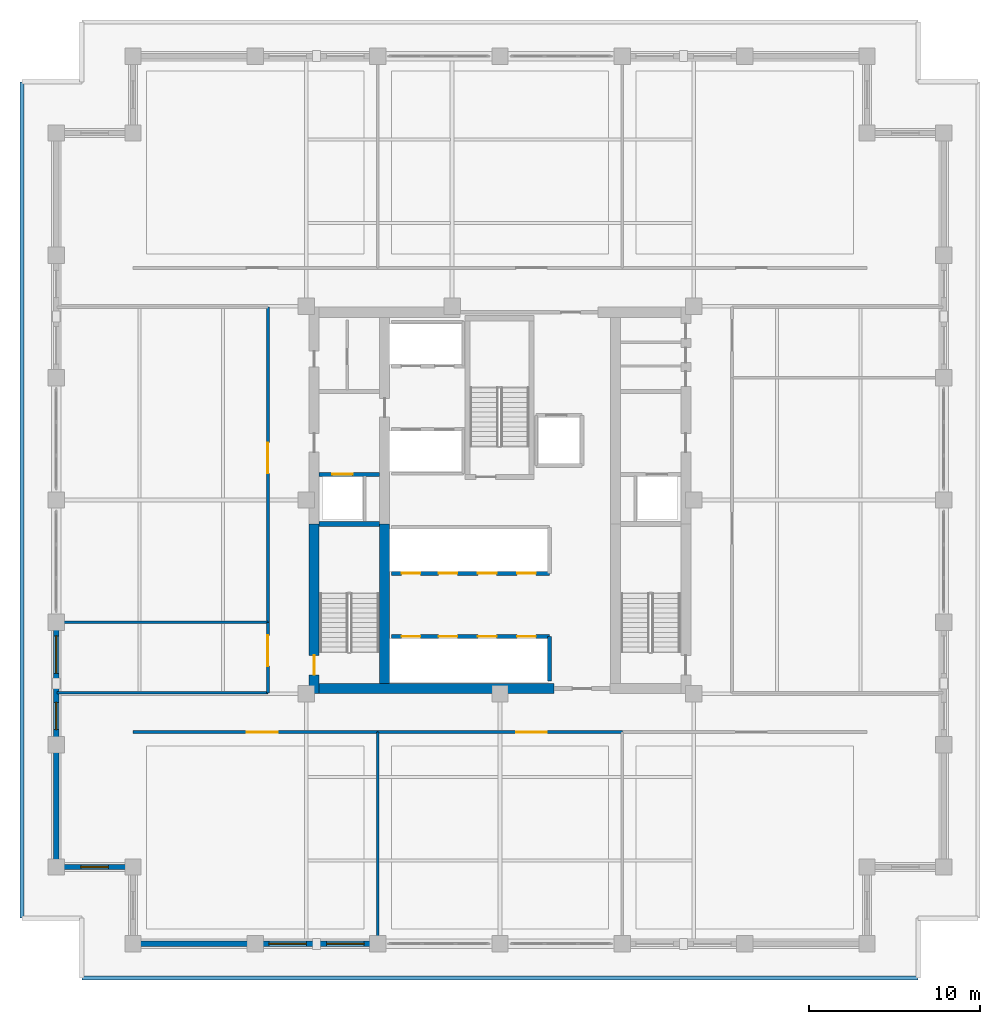
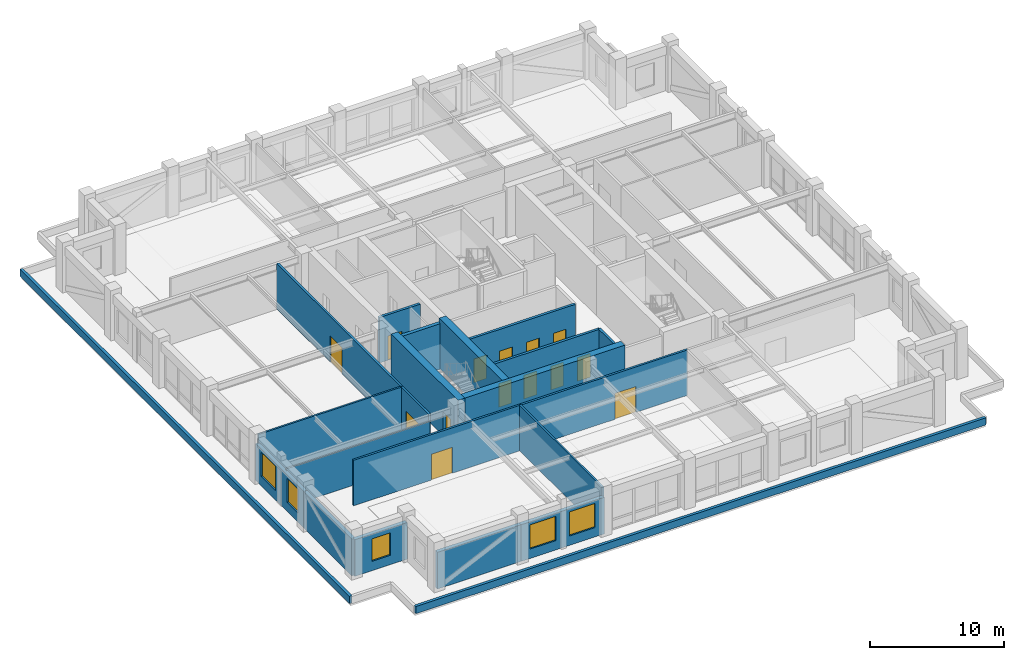
# One storey, part 8 of 16: 22 walls, 14 doors, 5 windows, 19 openings.
"""IFC4 building model written with IfcOpenShell, lengths in metres."""

from ifc_helpers import new_model, si_unit, direction, frame, frame_2d, origin, place, context, subcontext, project, spatial, rectangle, extrude, material, layer, layer_set, type_object, element, fill, save


model = new_model("IFC4")

# Units and contexts
model_context = context("Model", 3, precision=1e-05, world=origin(), true_north=direction((0.0, 1.0)))
body_context = subcontext(model_context, "Body", "Model", "MODEL_VIEW")
ifc_project = project(units=[si_unit("LENGTHUNIT", "METRE"), si_unit("AREAUNIT", "SQUARE_METRE"), si_unit("VOLUMEUNIT", "CUBIC_METRE"), si_unit("PLANEANGLEUNIT", "RADIAN"), si_unit("MASSUNIT", "GRAM", prefix="KILO")], contexts=[model_context])

# Site, building, storey
site_placement = place(None, origin())
site = spatial("IfcSite", under=ifc_project, at=site_placement, CompositionType="ELEMENT")
building_placement = place(site_placement, origin())
building = spatial("IfcBuilding", under=site, at=building_placement, Name="Nhamokura Convention Tower", CompositionType="ELEMENT")
storey_placement = place(building_placement, frame((0.0, 0.0, 106.050048828125)))
storey = spatial("IfcBuildingStorey", under=building, at=storey_placement, Name="L25", CompositionType="ELEMENT", Elevation=106.050048828125)

# Wall
ifc_material_1 = material(Name="Bronze-pigmented precast concrete C45/55", Category="concrete")
ifc_layer_1 = layer(ifc_material_1, 0.320068359375)
ifc_layer_set_1 = layer_set([ifc_layer_1], Name="BronzePrecastSpandrel_320")
wall_type_1 = type_object("IfcWallType", Name="BronzePrecastSpandrel_320", PredefinedType="USERDEFINED", material=ifc_layer_set_1)
wall_1_placement = place(storey_placement, frame((17.666748046875, 6.0, 0.0), z_axis=(0.0, 0.0, 1.0), x_axis=(-1.0, 0.0, 0.0)))
element("IfcWall", 1, at=wall_1_placement, inside=storey, type_object=wall_type_1, Name="L25 Braced-Bay Precast Wall SOUTH 0", ObjectType="SPANDREL_WALL", PredefinedType="USERDEFINED", context=body_context, shape_type="SweptSolid", body=[
    extrude(rectangle(XDim=7.166748046875, YDim=0.320068359375, at=frame_2d((3.58349609375, 0.0))), origin(), (0.0, 0.0, 1.0), 3.329833984375),
])

# Wall, openings, windows
wall_2_placement = place(storey_placement, frame((24.833251953125, 6.0, 0.0), z_axis=(0.0, 0.0, 1.0), x_axis=(-1.0, 0.0, 0.0)))
wall_2 = element("IfcWall", 2, at=wall_2_placement, inside=storey, type_object=wall_type_1, Name="L25 Masonry-Frame Wall SOUTH 1", ObjectType="SPANDREL_WALL", PredefinedType="USERDEFINED", context=body_context, shape_type="SweptSolid", body=[
    extrude(rectangle(XDim=7.16650390625, YDim=0.320068359375, at=frame_2d((3.583251953125, 0.0))), origin(), (0.0, 0.0, 1.0), 3.329833984375),
])
opening_1_placement = place(wall_2_placement, frame((0.791748046875, 0.0, 0.85009765625)))
opening_1 = element("IfcOpeningElement", 3, at=opening_1_placement, cuts=wall_2, Name="Opening W-06", PredefinedType="OPENING", context=body_context, shape_type="SweptSolid", body=[
    extrude(rectangle(XDim=2.199951171875, YDim=2.199951171875, at=frame_2d((1.10009765625, 1.10009765625))), frame((0.0, 0.169921875, 0.0), z_axis=(0.0, -1.0, 0.0), x_axis=(1.0, 0.0, 0.0)), (0.0, 0.0, 1.0), 0.340087890625),
])
opening_2_placement = place(wall_2_placement, frame((4.175048828125, 0.0, 0.85009765625)))
opening_2 = element("IfcOpeningElement", 4, at=opening_2_placement, cuts=wall_2, Name="Opening W-06", PredefinedType="OPENING", context=body_context, shape_type="SweptSolid", body=[
    extrude(rectangle(XDim=2.199951171875, YDim=2.199951171875, at=frame_2d((1.10009765625, 1.10009765625))), frame((0.0, 0.169921875, 0.0), z_axis=(0.0, -1.0, 0.0), x_axis=(1.0, 0.0, 0.0)), (0.0, 0.0, 1.0), 0.340087890625),
])
ifc_material_2 = material(Name="Solar-control bronze low-E double glass", Category="glass")
window_type_1 = type_object("IfcWindowType", Name="OfficeModuleWindow_Z2_2200", PartitioningType="SINGLE_PANEL", PredefinedType="WINDOW", material=ifc_material_2)
window_1_placement = place(opening_1_placement, origin())
window_1 = element("IfcWindow", 5, at=window_1_placement, inside=storey, type_object=window_type_1, Name="L25 Facade Window SOUTH 1-1", OverallHeight=2.199951171875, OverallWidth=2.199951171875, PartitioningType="SINGLE_PANEL", PredefinedType="WINDOW", context=body_context, shape_type="SweptSolid", body=[
    extrude(rectangle(XDim=2.199951171875, YDim=2.199951171875, at=frame_2d((1.10009765625, 1.10009765625))), frame((0.0, 0.030029296875, 0.0), z_axis=(0.0, -1.0, 0.0), x_axis=(1.0, 0.0, 0.0)), (0.0, 0.0, 1.0), 0.06005859375),
])
fill(opening_1, window_1)
window_2_placement = place(opening_2_placement, origin())
window_2 = element("IfcWindow", 6, at=window_2_placement, inside=storey, type_object=window_type_1, Name="L25 Facade Window SOUTH 1-2", OverallHeight=2.199951171875, OverallWidth=2.199951171875, PartitioningType="SINGLE_PANEL", PredefinedType="WINDOW", context=body_context, shape_type="SweptSolid", body=[
    extrude(rectangle(XDim=2.199951171875, YDim=2.199951171875, at=frame_2d((1.10009765625, 1.10009765625))), frame((0.0, 0.030029296875, 0.0), z_axis=(0.0, -1.0, 0.0), x_axis=(1.0, 0.0, 0.0)), (0.0, 0.0, 1.0), 0.06005859375),
])
fill(opening_2, window_2)

# Wall
wall_3_placement = place(storey_placement, frame((6.0, 10.5, 0.0), z_axis=(0.0, 0.0, 1.0), x_axis=(0.0, 1.0, 0.0)))
element("IfcWall", 7, at=wall_3_placement, inside=storey, type_object=wall_type_1, Name="L25 Braced-Bay Precast Wall WEST 0", ObjectType="SPANDREL_WALL", PredefinedType="USERDEFINED", context=body_context, shape_type="SweptSolid", body=[
    extrude(rectangle(XDim=7.166748046875, YDim=0.320068359375, at=frame_2d((3.58349609375, 0.0))), origin(), (0.0, 0.0, 1.0), 3.329833984375),
])

# Wall, openings, windows
wall_4_placement = place(storey_placement, frame((6.0, 17.666748046875, 0.0), z_axis=(0.0, 0.0, 1.0), x_axis=(0.0, 1.0, 0.0)))
wall_4 = element("IfcWall", 8, at=wall_4_placement, inside=storey, type_object=wall_type_1, Name="L25 Masonry-Frame Wall WEST 1", ObjectType="SPANDREL_WALL", PredefinedType="USERDEFINED", context=body_context, shape_type="SweptSolid", body=[
    extrude(rectangle(XDim=7.16650390625, YDim=0.320068359375, at=frame_2d((3.583251953125, 0.0))), origin(), (0.0, 0.0, 1.0), 3.329833984375),
])
opening_3_placement = place(wall_4_placement, frame((0.879150390625, 0.0, 0.85009765625)))
opening_3 = element("IfcOpeningElement", 9, at=opening_3_placement, cuts=wall_4, Name="Opening W-11", PredefinedType="OPENING", context=body_context, shape_type="SweptSolid", body=[
    extrude(rectangle(XDim=1.60009765625, YDim=2.14990234375, at=frame_2d((0.800048828125, 1.074951171875))), frame((0.0, 0.169921875, 0.0), z_axis=(0.0, -1.0, 0.0), x_axis=(1.0, 0.0, 0.0)), (0.0, 0.0, 1.0), 0.340087890625),
])
opening_4_placement = place(wall_4_placement, frame((4.175048828125, 0.0, 0.85009765625)))
opening_4 = element("IfcOpeningElement", 10, at=opening_4_placement, cuts=wall_4, Name="Opening W-06", PredefinedType="OPENING", context=body_context, shape_type="SweptSolid", body=[
    extrude(rectangle(XDim=2.199951171875, YDim=2.199951171875, at=frame_2d((1.10009765625, 1.10009765625))), frame((0.0, 0.169921875, 0.0), z_axis=(0.0, -1.0, 0.0), x_axis=(1.0, 0.0, 0.0)), (0.0, 0.0, 1.0), 0.340087890625),
])
ifc_material_3 = material(Name="Solar-control bronze low-E double glass", Category="glass")
window_type_2 = type_object("IfcWindowType", Name="NotchCornerWindow_1600", PartitioningType="SINGLE_PANEL", PredefinedType="WINDOW", material=ifc_material_3)
window_3_placement = place(opening_3_placement, origin())
window_3 = element("IfcWindow", 11, at=window_3_placement, inside=storey, type_object=window_type_2, Name="L25 Facade Window WEST 1-1", OverallHeight=2.14990234375, OverallWidth=1.60009765625, PartitioningType="SINGLE_PANEL", PredefinedType="WINDOW", context=body_context, shape_type="SweptSolid", body=[
    extrude(rectangle(XDim=1.60009765625, YDim=2.14990234375, at=frame_2d((0.800048828125, 1.074951171875))), frame((0.0, 0.030029296875, 0.0), z_axis=(0.0, -1.0, 0.0), x_axis=(1.0, 0.0, 0.0)), (0.0, 0.0, 1.0), 0.06005859375),
])
fill(opening_3, window_3)
window_4_placement = place(opening_4_placement, origin())
window_4 = element("IfcWindow", 12, at=window_4_placement, inside=storey, type_object=window_type_1, Name="L25 Facade Window WEST 1-2", OverallHeight=2.199951171875, OverallWidth=2.199951171875, PartitioningType="SINGLE_PANEL", PredefinedType="WINDOW", context=body_context, shape_type="SweptSolid", body=[
    extrude(rectangle(XDim=2.199951171875, YDim=2.199951171875, at=frame_2d((1.10009765625, 1.10009765625))), frame((0.0, 0.030029296875, 0.0), z_axis=(0.0, -1.0, 0.0), x_axis=(1.0, 0.0, 0.0)), (0.0, 0.0, 1.0), 0.06005859375),
])
fill(opening_4, window_4)

# Wall, opening, window
wall_5_placement = place(storey_placement, frame((10.5, 10.5, 0.0), z_axis=(0.0, 0.0, 1.0), x_axis=(-1.0, 0.0, 0.0)))
wall_5 = element("IfcWall", 13, at=wall_5_placement, inside=storey, type_object=wall_type_1, Name="L25 Notched Corner Wall SW2", ObjectType="SPANDREL_WALL", PredefinedType="USERDEFINED", context=body_context, shape_type="SweptSolid", body=[
    extrude(rectangle(XDim=4.5, YDim=0.320068359375, at=frame_2d((2.25, 0.0))), origin(), (0.0, 0.0, 1.0), 3.329833984375),
])
opening_5_placement = place(wall_5_placement, frame((1.449951171875, 0.0, 0.85009765625)))
opening_5 = element("IfcOpeningElement", 14, at=opening_5_placement, cuts=wall_5, Name="Opening W-11", PredefinedType="OPENING", context=body_context, shape_type="SweptSolid", body=[
    extrude(rectangle(XDim=1.60009765625, YDim=2.050048828125, at=frame_2d((0.800048828125, 1.02490234375))), frame((0.0, 0.169921875, 0.0), z_axis=(0.0, -1.0, 0.0), x_axis=(1.0, 0.0, 0.0)), (0.0, 0.0, 1.0), 0.340087890625),
])
window_5_placement = place(opening_5_placement, origin())
window_5 = element("IfcWindow", 15, at=window_5_placement, inside=storey, type_object=window_type_2, Name="L25 Notched Corner Window SW2", OverallHeight=2.050048828125, OverallWidth=1.60009765625, PartitioningType="SINGLE_PANEL", PredefinedType="WINDOW", context=body_context, shape_type="SweptSolid", body=[
    extrude(rectangle(XDim=1.60009765625, YDim=2.050048828125, at=frame_2d((0.800048828125, 1.02490234375))), frame((0.0, 0.030029296875, 0.0), z_axis=(0.0, -1.0, 0.0), x_axis=(1.0, 0.0, 0.0)), (0.0, 0.0, 1.0), 0.06005859375),
])
fill(opening_5, window_5)

# Wall, opening, door
ifc_material_4 = material(Name="Concrete C60/75", Category="concrete")
ifc_layer_2 = layer(ifc_material_4, 0.60009765625)
ifc_layer_set_2 = layer_set([ifc_layer_2], Name="CoreShearWall_600")
wall_type_2 = type_object("IfcWallType", Name="CoreShearWall_600", PredefinedType="SHEAR", material=ifc_layer_set_2)
wall_6_placement = place(storey_placement, frame((21.110107421875, 20.64990234375, 0.0), z_axis=(0.0, 0.0, 1.0), x_axis=(0.0, 1.0, 0.0)))
wall_6 = element("IfcWall", 16, at=wall_6_placement, inside=storey, type_object=wall_type_2, Name="L25 Core Shear Wall CW-WS", PredefinedType="SHEAR", context=body_context, shape_type="SweptSolid", body=[
    extrude(rectangle(XDim=9.9501953125, YDim=0.60009765625, at=frame_2d((4.97509765625, 0.0))), origin(), (0.0, 0.0, 1.0), 4.550048828125),
])
opening_6_placement = place(wall_6_placement, frame((1.10009765625, 0.0, 0.0)))
opening_6 = element("IfcOpeningElement", 17, at=opening_6_placement, cuts=wall_6, Name="Opening D-04", PredefinedType="OPENING", context=body_context, shape_type="SweptSolid", body=[
    extrude(rectangle(XDim=1.14990234375, YDim=2.14990234375, at=frame_2d((0.574951171875, 1.074951171875))), frame((0.0, 0.31005859375, 0.0), z_axis=(0.0, -1.0, 0.0), x_axis=(1.0, 0.0, 0.0)), (0.0, 0.0, 1.0), 0.6201171875),
])
ifc_material_5 = material(Name="Fire-rated steel door", Category="steel")
door_type_1 = type_object("IfcDoorType", Name="StairSmokeDoor_1150", OperationType="NOTDEFINED", PredefinedType="DOOR", material=ifc_material_5)
door_1_placement = place(opening_6_placement, origin())
door_1 = element("IfcDoor", 18, at=door_1_placement, inside=storey, type_object=door_type_1, Name="L25 Core Door INT-L25-D-ST01", OperationType="SINGLE_SWING_LEFT", OverallHeight=2.14990234375, OverallWidth=1.14990234375, PredefinedType="DOOR", context=body_context, shape_type="SweptSolid", body=[
    extrude(rectangle(XDim=1.14990234375, YDim=2.14990234375, at=frame_2d((0.574951171875, 1.074951171875))), frame((0.0, 0.02490234375, 0.0), z_axis=(0.0, -1.0, 0.0), x_axis=(1.0, 0.0, 0.0)), (0.0, 0.0, 1.0), 0.050048828125),
])
fill(opening_6, door_1)

# Walls
wall_7_placement = place(storey_placement, frame((21.409912109375, 20.949951171875, 0.0), z_axis=(0.0, 0.0, 1.0), x_axis=(1.0, 0.0, 0.0)))
element("IfcWall", 19, at=wall_7_placement, inside=storey, type_object=wall_type_2, Name="L25 Core Shear Wall CW-S1", PredefinedType="SHEAR", context=body_context, shape_type="SweptSolid", body=[
    extrude(rectangle(XDim=13.739990234375, YDim=0.60009765625, at=frame_2d((6.8701171875, 0.0))), origin(), (0.0, 0.0, 1.0), 4.550048828125),
])
wall_8_placement = place(storey_placement, frame((25.239990234375, 21.25, 0.0), z_axis=(0.0, 0.0, 1.0), x_axis=(0.0, 1.0, 0.0)))
element("IfcWall", 20, at=wall_8_placement, inside=storey, type_object=wall_type_2, Name="L25 Core Shear Wall CW-IWS", PredefinedType="SHEAR", context=body_context, shape_type="SweptSolid", body=[
    extrude(rectangle(XDim=9.35009765625, YDim=0.60009765625, at=frame_2d((4.675048828125, 0.0))), origin(), (0.0, 0.0, 1.0), 4.550048828125),
])

# Wall, opening, door
ifc_material_6 = material(Name="Fire-rated gypsum and masonry partition", Category="masonry")
ifc_layer_3 = layer(ifc_material_6, 0.179931640625)
ifc_layer_set_3 = layer_set([ifc_layer_3], Name="CorridorRatedWall_180")
wall_type_3 = type_object("IfcWallType", Name="CorridorRatedWall_180", PredefinedType="STANDARD", material=ifc_layer_set_3)
wall_9_placement = place(storey_placement, frame((10.5, 18.39990234375, 0.0), z_axis=(0.0, 0.0, 1.0), x_axis=(1.0, 0.0, 0.0)))
wall_9 = element("IfcWall", 21, at=wall_9_placement, inside=storey, type_object=wall_type_3, Name="L25 Wall INT-L25-CW-S00", PredefinedType="STANDARD", context=body_context, shape_type="SweptSolid", body=[
    extrude(rectangle(XDim=14.333251953125, YDim=0.179931640625, at=frame_2d((7.16650390625, 0.0))), origin(), (0.0, 0.0, 1.0), 4.1298828125),
])
opening_7_placement = place(wall_9_placement, frame((6.666748046875, 0.0, 0.0)))
opening_7 = element("IfcOpeningElement", 22, at=opening_7_placement, cuts=wall_9, Name="Opening D-03", PredefinedType="OPENING", context=body_context, shape_type="SweptSolid", body=[
    extrude(rectangle(XDim=1.800048828125, YDim=2.35009765625, at=frame_2d((0.89990234375, 1.175048828125))), frame((0.0, 0.099853515625, 0.0), z_axis=(0.0, -1.0, 0.0), x_axis=(1.0, 0.0, 0.0)), (0.0, 0.0, 1.0), 0.199951171875),
])
ifc_material_7 = material(Name="Solid oak hardwood", Category="wood")
door_type_2 = type_object("IfcDoorType", Name="BallroomDoubleDoor_1800", OperationType="DOUBLE_DOOR_SINGLE_SWING", PredefinedType="DOOR", material=ifc_material_7)
door_2_placement = place(opening_7_placement, origin())
door_2 = element("IfcDoor", 23, at=door_2_placement, inside=storey, type_object=door_type_2, Name="L25 Sky Lobby Lounge S01 Door", OperationType="SINGLE_SWING_LEFT", OverallHeight=2.35009765625, OverallWidth=1.800048828125, PredefinedType="DOOR", context=body_context, shape_type="SweptSolid", body=[
    extrude(rectangle(XDim=1.800048828125, YDim=2.35009765625, at=frame_2d((0.89990234375, 1.175048828125))), frame((0.0, 0.02490234375, 0.0), z_axis=(0.0, -1.0, 0.0), x_axis=(1.0, 0.0, 0.0)), (0.0, 0.0, 1.0), 0.050048828125),
])
fill(opening_7, door_2)

wall_10_placement = place(storey_placement, frame((24.833251953125, 18.39990234375, 0.0), z_axis=(0.0, 0.0, 1.0), x_axis=(1.0, 0.0, 0.0)))
wall_10 = element("IfcWall", 24, at=wall_10_placement, inside=storey, type_object=wall_type_3, Name="L25 Wall INT-L25-CW-S01", PredefinedType="STANDARD", context=body_context, shape_type="SweptSolid", body=[
    extrude(rectangle(XDim=14.33349609375, YDim=0.179931640625, at=frame_2d((7.166748046875, 0.0))), origin(), (0.0, 0.0, 1.0), 4.1298828125),
])
opening_8_placement = place(wall_10_placement, frame((8.11669921875, 0.0, 0.0)))
opening_8 = element("IfcOpeningElement", 25, at=opening_8_placement, cuts=wall_10, Name="Opening D-03", PredefinedType="OPENING", context=body_context, shape_type="SweptSolid", body=[
    extrude(rectangle(XDim=1.800048828125, YDim=2.35009765625, at=frame_2d((0.89990234375, 1.175048828125))), frame((0.0, 0.099853515625, 0.0), z_axis=(0.0, -1.0, 0.0), x_axis=(1.0, 0.0, 0.0)), (0.0, 0.0, 1.0), 0.199951171875),
])
door_3_placement = place(opening_8_placement, origin())
door_3 = element("IfcDoor", 26, at=door_3_placement, inside=storey, type_object=door_type_2, Name="L25 Cafe Restaurant S02 Door", OperationType="SINGLE_SWING_RIGHT", OverallHeight=2.35009765625, OverallWidth=1.800048828125, PredefinedType="DOOR", context=body_context, shape_type="SweptSolid", body=[
    extrude(rectangle(XDim=1.800048828125, YDim=2.35009765625, at=frame_2d((0.89990234375, 1.175048828125))), frame((0.0, 0.02490234375, 0.0), z_axis=(0.0, -1.0, 0.0), x_axis=(1.0, 0.0, 0.0)), (0.0, 0.0, 1.0), 0.050048828125),
])
fill(opening_8, door_3)

wall_11_placement = place(storey_placement, frame((18.39990234375, 20.699951171875, 0.0), z_axis=(0.0, 0.0, 1.0), x_axis=(0.0, 1.0, 0.0)))
wall_11 = element("IfcWall", 27, at=wall_11_placement, inside=storey, type_object=wall_type_3, Name="L25 Wall INT-L25-CW-W00", PredefinedType="STANDARD", context=body_context, shape_type="SweptSolid", body=[
    extrude(rectangle(XDim=4.13330078125, YDim=0.179931640625, at=frame_2d((2.066650390625, 0.0))), origin(), (0.0, 0.0, 1.0), 4.1298828125),
])
opening_9_placement = place(wall_11_placement, frame((1.566650390625, 0.0, 0.0)))
opening_9 = element("IfcOpeningElement", 28, at=opening_9_placement, cuts=wall_11, Name="Opening D-03", PredefinedType="OPENING", context=body_context, shape_type="SweptSolid", body=[
    extrude(rectangle(XDim=1.800048828125, YDim=2.35009765625, at=frame_2d((0.89990234375, 1.175048828125))), frame((0.0, 0.099853515625, 0.0), z_axis=(0.0, -1.0, 0.0), x_axis=(1.0, 0.0, 0.0)), (0.0, 0.0, 1.0), 0.199951171875),
])
door_4_placement = place(opening_9_placement, origin())
door_4 = element("IfcDoor", 29, at=door_4_placement, inside=storey, type_object=door_type_2, Name="L25 Private Office W01 Door", OperationType="SINGLE_SWING_LEFT", OverallHeight=2.35009765625, OverallWidth=1.800048828125, PredefinedType="DOOR", context=body_context, shape_type="SweptSolid", body=[
    extrude(rectangle(XDim=1.800048828125, YDim=2.35009765625, at=frame_2d((0.89990234375, 1.175048828125))), frame((0.0, 0.02490234375, 0.0), z_axis=(0.0, -1.0, 0.0), x_axis=(1.0, 0.0, 0.0)), (0.0, 0.0, 1.0), 0.050048828125),
])
fill(opening_9, door_4)

wall_12_placement = place(storey_placement, frame((18.39990234375, 24.833251953125, 0.0), z_axis=(0.0, 0.0, 1.0), x_axis=(0.0, 1.0, 0.0)))
wall_12 = element("IfcWall", 30, at=wall_12_placement, inside=storey, type_object=wall_type_3, Name="L25 Wall INT-L25-CW-W01", PredefinedType="STANDARD", context=body_context, shape_type="SweptSolid", body=[
    extrude(rectangle(XDim=18.466796875, YDim=0.179931640625, at=frame_2d((9.2333984375, 0.0))), origin(), (0.0, 0.0, 1.0), 4.1298828125),
])
opening_10_placement = place(wall_12_placement, frame((8.7333984375, 0.0, 0.0)))
opening_10 = element("IfcOpeningElement", 31, at=opening_10_placement, cuts=wall_12, Name="Opening D-03", PredefinedType="OPENING", context=body_context, shape_type="SweptSolid", body=[
    extrude(rectangle(XDim=1.800048828125, YDim=2.35009765625, at=frame_2d((0.89990234375, 1.175048828125))), frame((0.0, 0.099853515625, 0.0), z_axis=(0.0, -1.0, 0.0), x_axis=(1.0, 0.0, 0.0)), (0.0, 0.0, 1.0), 0.199951171875),
])
door_5_placement = place(opening_10_placement, origin())
door_5 = element("IfcDoor", 32, at=door_5_placement, inside=storey, type_object=door_type_2, Name="L25 Meeting Room W02 Door", OperationType="SINGLE_SWING_RIGHT", OverallHeight=2.35009765625, OverallWidth=1.800048828125, PredefinedType="DOOR", context=body_context, shape_type="SweptSolid", body=[
    extrude(rectangle(XDim=1.800048828125, YDim=2.35009765625, at=frame_2d((0.89990234375, 1.175048828125))), frame((0.0, 0.02490234375, 0.0), z_axis=(0.0, -1.0, 0.0), x_axis=(1.0, 0.0, 0.0)), (0.0, 0.0, 1.0), 0.050048828125),
])
fill(opening_10, door_5)

ifc_material_8 = material(Name="Autoclaved concrete blockwork", Category="masonry")
ifc_layer_4 = layer(ifc_material_8, 0.219970703125)
ifc_layer_set_4 = layer_set([ifc_layer_4], Name="FireLobbyWall_220")
wall_type_4 = type_object("IfcWallType", Name="FireLobbyWall_220", PredefinedType="STANDARD", material=ifc_layer_set_4)
wall_13_placement = place(storey_placement, frame((21.409912109375, 33.5, 0.0), z_axis=(0.0, 0.0, 1.0), x_axis=(1.0, 0.0, 0.0)))
wall_13 = element("IfcWall", 33, at=wall_13_placement, inside=storey, type_object=wall_type_4, Name="L25 Wall INT-L25-FFW-S", PredefinedType="STANDARD", context=body_context, shape_type="SweptSolid", body=[
    extrude(rectangle(XDim=3.530029296875, YDim=0.219970703125, at=frame_2d((1.76513671875, 0.0))), origin(), (0.0, 0.0, 1.0), 4.1298828125),
])
opening_11_placement = place(wall_13_placement, frame((0.75, 0.0, 0.0)))
opening_11 = element("IfcOpeningElement", 34, at=opening_11_placement, cuts=wall_13, Name="Opening LD-02", PredefinedType="OPENING", context=body_context, shape_type="SweptSolid", body=[
    extrude(rectangle(XDim=1.199951171875, YDim=2.199951171875, at=frame_2d((0.60009765625, 1.10009765625))), frame((0.0, 0.119873046875, 0.0), z_axis=(0.0, -1.0, 0.0), x_axis=(1.0, 0.0, 0.0)), (0.0, 0.0, 1.0), 0.239990234375),
])
ifc_material_9 = material(Name="Anodised bronze stainless steel", Category="steel")
door_type_3 = type_object("IfcDoorType", Name="LiftLandingDoor_FireService", OperationType="DOUBLE_DOOR_SLIDING", PredefinedType="DOOR", material=ifc_material_9)
door_6_placement = place(opening_11_placement, origin())
door_6 = element("IfcDoor", 35, at=door_6_placement, inside=storey, type_object=door_type_3, Name="L25 Firefighting Lift LF-01 Door", OperationType="DOUBLE_DOOR_SLIDING", OverallHeight=2.199951171875, OverallWidth=1.199951171875, PredefinedType="DOOR", context=body_context, shape_type="SweptSolid", body=[
    extrude(rectangle(XDim=1.199951171875, YDim=2.199951171875, at=frame_2d((0.60009765625, 1.10009765625))), frame((0.0, 0.02490234375, 0.0), z_axis=(0.0, -1.0, 0.0), x_axis=(1.0, 0.0, 0.0)), (0.0, 0.0, 1.0), 0.050048828125),
])
fill(opening_11, door_6)

# Wall, openings, doors
wall_14_placement = place(storey_placement, frame((25.64990234375, 24.0, 0.0), z_axis=(0.0, 0.0, 1.0), x_axis=(1.0, 0.0, 0.0)))
wall_14 = element("IfcWall", 36, at=wall_14_placement, inside=storey, type_object=wall_type_4, Name="L25 Wall INT-L25-B1N", PredefinedType="STANDARD", context=body_context, shape_type="SweptSolid", body=[
    extrude(rectangle(XDim=9.25, YDim=0.219970703125, at=frame_2d((4.625, 0.0))), origin(), (0.0, 0.0, 1.0), 4.1298828125),
])
opening_12_placement = place(wall_14_placement, frame((0.580078125, 0.0, 0.0)))
opening_12 = element("IfcOpeningElement", 37, at=opening_12_placement, cuts=wall_14, Name="Opening LD-01", PredefinedType="OPENING", context=body_context, shape_type="SweptSolid", body=[
    extrude(rectangle(XDim=1.10009765625, YDim=2.14990234375, at=frame_2d((0.550048828125, 1.074951171875))), frame((0.0, 0.119873046875, 0.0), z_axis=(0.0, -1.0, 0.0), x_axis=(1.0, 0.0, 0.0)), (0.0, 0.0, 1.0), 0.239990234375),
])
opening_13_placement = place(wall_14_placement, frame((2.75, 0.0, 0.0)))
opening_13 = element("IfcOpeningElement", 38, at=opening_13_placement, cuts=wall_14, Name="Opening LD-01", PredefinedType="OPENING", context=body_context, shape_type="SweptSolid", body=[
    extrude(rectangle(XDim=1.10009765625, YDim=2.14990234375, at=frame_2d((0.550048828125, 1.074951171875))), frame((0.0, 0.119873046875, 0.0), z_axis=(0.0, -1.0, 0.0), x_axis=(1.0, 0.0, 0.0)), (0.0, 0.0, 1.0), 0.239990234375),
])
opening_14_placement = place(wall_14_placement, frame((5.050048828125, 0.0, 0.0)))
opening_14 = element("IfcOpeningElement", 39, at=opening_14_placement, cuts=wall_14, Name="Opening LD-01", PredefinedType="OPENING", context=body_context, shape_type="SweptSolid", body=[
    extrude(rectangle(XDim=1.10009765625, YDim=2.14990234375, at=frame_2d((0.550048828125, 1.074951171875))), frame((0.0, 0.119873046875, 0.0), z_axis=(0.0, -1.0, 0.0), x_axis=(1.0, 0.0, 0.0)), (0.0, 0.0, 1.0), 0.239990234375),
])
opening_15_placement = place(wall_14_placement, frame((7.35009765625, 0.0, 0.0)))
opening_15 = element("IfcOpeningElement", 40, at=opening_15_placement, cuts=wall_14, Name="Opening LD-01", PredefinedType="OPENING", context=body_context, shape_type="SweptSolid", body=[
    extrude(rectangle(XDim=1.10009765625, YDim=2.14990234375, at=frame_2d((0.550048828125, 1.074951171875))), frame((0.0, 0.119873046875, 0.0), z_axis=(0.0, -1.0, 0.0), x_axis=(1.0, 0.0, 0.0)), (0.0, 0.0, 1.0), 0.239990234375),
])
ifc_material_10 = material(Name="Anodised bronze stainless steel", Category="steel")
door_type_4 = type_object("IfcDoorType", Name="LiftLandingDoor_Passenger", OperationType="DOUBLE_DOOR_SLIDING", PredefinedType="DOOR", material=ifc_material_10)
door_7_placement = place(opening_12_placement, origin())
door_7 = element("IfcDoor", 41, at=door_7_placement, inside=storey, type_object=door_type_4, Name="L25 Lift LP-01 Landing Door", OperationType="DOUBLE_DOOR_SLIDING", OverallHeight=2.14990234375, OverallWidth=1.10009765625, PredefinedType="DOOR", context=body_context, shape_type="SweptSolid", body=[
    extrude(rectangle(XDim=1.10009765625, YDim=2.14990234375, at=frame_2d((0.550048828125, 1.074951171875))), frame((0.0, 0.02490234375, 0.0), z_axis=(0.0, -1.0, 0.0), x_axis=(1.0, 0.0, 0.0)), (0.0, 0.0, 1.0), 0.050048828125),
])
fill(opening_12, door_7)
door_8_placement = place(opening_13_placement, origin())
door_8 = element("IfcDoor", 42, at=door_8_placement, inside=storey, type_object=door_type_4, Name="L25 Lift LP-02 Landing Door", OperationType="DOUBLE_DOOR_SLIDING", OverallHeight=2.14990234375, OverallWidth=1.10009765625, PredefinedType="DOOR", context=body_context, shape_type="SweptSolid", body=[
    extrude(rectangle(XDim=1.10009765625, YDim=2.14990234375, at=frame_2d((0.550048828125, 1.074951171875))), frame((0.0, 0.02490234375, 0.0), z_axis=(0.0, -1.0, 0.0), x_axis=(1.0, 0.0, 0.0)), (0.0, 0.0, 1.0), 0.050048828125),
])
fill(opening_13, door_8)
door_9_placement = place(opening_14_placement, origin())
door_9 = element("IfcDoor", 43, at=door_9_placement, inside=storey, type_object=door_type_4, Name="L25 Lift LP-03 Landing Door", OperationType="DOUBLE_DOOR_SLIDING", OverallHeight=2.14990234375, OverallWidth=1.10009765625, PredefinedType="DOOR", context=body_context, shape_type="SweptSolid", body=[
    extrude(rectangle(XDim=1.10009765625, YDim=2.14990234375, at=frame_2d((0.550048828125, 1.074951171875))), frame((0.0, 0.02490234375, 0.0), z_axis=(0.0, -1.0, 0.0), x_axis=(1.0, 0.0, 0.0)), (0.0, 0.0, 1.0), 0.050048828125),
])
fill(opening_14, door_9)
door_10_placement = place(opening_15_placement, origin())
door_10 = element("IfcDoor", 44, at=door_10_placement, inside=storey, type_object=door_type_4, Name="L25 Lift LP-04 Landing Door", OperationType="DOUBLE_DOOR_SLIDING", OverallHeight=2.14990234375, OverallWidth=1.10009765625, PredefinedType="DOOR", context=body_context, shape_type="SweptSolid", body=[
    extrude(rectangle(XDim=1.10009765625, YDim=2.14990234375, at=frame_2d((0.550048828125, 1.074951171875))), frame((0.0, 0.02490234375, 0.0), z_axis=(0.0, -1.0, 0.0), x_axis=(1.0, 0.0, 0.0)), (0.0, 0.0, 1.0), 0.050048828125),
])
fill(opening_15, door_10)

# Wall
wall_15_placement = place(storey_placement, frame((34.89990234375, 21.39990234375, 0.0), z_axis=(0.0, 0.0, 1.0), x_axis=(0.0, 1.0, 0.0)))
element("IfcWall", 45, at=wall_15_placement, inside=storey, type_object=wall_type_4, Name="L25 Wall INT-L25-B1E", PredefinedType="STANDARD", context=body_context, shape_type="SweptSolid", body=[
    extrude(rectangle(XDim=2.60009765625, YDim=0.219970703125, at=frame_2d((1.300048828125, 0.0))), origin(), (0.0, 0.0, 1.0), 4.1298828125),
])

# Wall, openings, doors
wall_16_placement = place(storey_placement, frame((25.64990234375, 27.699951171875, 0.0), z_axis=(0.0, 0.0, 1.0), x_axis=(1.0, 0.0, 0.0)))
wall_16 = element("IfcWall", 46, at=wall_16_placement, inside=storey, type_object=wall_type_4, Name="L25 Wall INT-L25-B2S", PredefinedType="STANDARD", context=body_context, shape_type="SweptSolid", body=[
    extrude(rectangle(XDim=9.25, YDim=0.219970703125, at=frame_2d((4.625, 0.0))), origin(), (0.0, 0.0, 1.0), 4.1298828125),
])
opening_16_placement = place(wall_16_placement, frame((0.580078125, 0.0, 0.0)))
opening_16 = element("IfcOpeningElement", 47, at=opening_16_placement, cuts=wall_16, Name="Opening LD-01", PredefinedType="OPENING", context=body_context, shape_type="SweptSolid", body=[
    extrude(rectangle(XDim=1.10009765625, YDim=2.14990234375, at=frame_2d((0.550048828125, 1.074951171875))), frame((0.0, 0.119873046875, 0.0), z_axis=(0.0, -1.0, 0.0), x_axis=(1.0, 0.0, 0.0)), (0.0, 0.0, 1.0), 0.239990234375),
])
opening_17_placement = place(wall_16_placement, frame((2.75, 0.0, 0.0)))
opening_17 = element("IfcOpeningElement", 48, at=opening_17_placement, cuts=wall_16, Name="Opening LD-01", PredefinedType="OPENING", context=body_context, shape_type="SweptSolid", body=[
    extrude(rectangle(XDim=1.10009765625, YDim=2.14990234375, at=frame_2d((0.550048828125, 1.074951171875))), frame((0.0, 0.119873046875, 0.0), z_axis=(0.0, -1.0, 0.0), x_axis=(1.0, 0.0, 0.0)), (0.0, 0.0, 1.0), 0.239990234375),
])
opening_18_placement = place(wall_16_placement, frame((5.050048828125, 0.0, 0.0)))
opening_18 = element("IfcOpeningElement", 49, at=opening_18_placement, cuts=wall_16, Name="Opening LD-01", PredefinedType="OPENING", context=body_context, shape_type="SweptSolid", body=[
    extrude(rectangle(XDim=1.10009765625, YDim=2.14990234375, at=frame_2d((0.550048828125, 1.074951171875))), frame((0.0, 0.119873046875, 0.0), z_axis=(0.0, -1.0, 0.0), x_axis=(1.0, 0.0, 0.0)), (0.0, 0.0, 1.0), 0.239990234375),
])
opening_19_placement = place(wall_16_placement, frame((7.35009765625, 0.0, 0.0)))
opening_19 = element("IfcOpeningElement", 50, at=opening_19_placement, cuts=wall_16, Name="Opening LD-01", PredefinedType="OPENING", context=body_context, shape_type="SweptSolid", body=[
    extrude(rectangle(XDim=1.10009765625, YDim=2.14990234375, at=frame_2d((0.550048828125, 1.074951171875))), frame((0.0, 0.119873046875, 0.0), z_axis=(0.0, -1.0, 0.0), x_axis=(1.0, 0.0, 0.0)), (0.0, 0.0, 1.0), 0.239990234375),
])
door_11_placement = place(opening_16_placement, origin())
door_11 = element("IfcDoor", 51, at=door_11_placement, inside=storey, type_object=door_type_4, Name="L25 Lift LP-05 Landing Door", OperationType="DOUBLE_DOOR_SLIDING", OverallHeight=2.14990234375, OverallWidth=1.10009765625, PredefinedType="DOOR", context=body_context, shape_type="SweptSolid", body=[
    extrude(rectangle(XDim=1.10009765625, YDim=2.14990234375, at=frame_2d((0.550048828125, 1.074951171875))), frame((0.0, 0.02490234375, 0.0), z_axis=(0.0, -1.0, 0.0), x_axis=(1.0, 0.0, 0.0)), (0.0, 0.0, 1.0), 0.050048828125),
])
fill(opening_16, door_11)
door_12_placement = place(opening_17_placement, origin())
door_12 = element("IfcDoor", 52, at=door_12_placement, inside=storey, type_object=door_type_4, Name="L25 Lift LP-06 Landing Door", OperationType="DOUBLE_DOOR_SLIDING", OverallHeight=2.14990234375, OverallWidth=1.10009765625, PredefinedType="DOOR", context=body_context, shape_type="SweptSolid", body=[
    extrude(rectangle(XDim=1.10009765625, YDim=2.14990234375, at=frame_2d((0.550048828125, 1.074951171875))), frame((0.0, 0.02490234375, 0.0), z_axis=(0.0, -1.0, 0.0), x_axis=(1.0, 0.0, 0.0)), (0.0, 0.0, 1.0), 0.050048828125),
])
fill(opening_17, door_12)
door_13_placement = place(opening_18_placement, origin())
door_13 = element("IfcDoor", 53, at=door_13_placement, inside=storey, type_object=door_type_4, Name="L25 Lift LP-07 Landing Door", OperationType="DOUBLE_DOOR_SLIDING", OverallHeight=2.14990234375, OverallWidth=1.10009765625, PredefinedType="DOOR", context=body_context, shape_type="SweptSolid", body=[
    extrude(rectangle(XDim=1.10009765625, YDim=2.14990234375, at=frame_2d((0.550048828125, 1.074951171875))), frame((0.0, 0.02490234375, 0.0), z_axis=(0.0, -1.0, 0.0), x_axis=(1.0, 0.0, 0.0)), (0.0, 0.0, 1.0), 0.050048828125),
])
fill(opening_18, door_13)
door_14_placement = place(opening_19_placement, origin())
door_14 = element("IfcDoor", 54, at=door_14_placement, inside=storey, type_object=door_type_4, Name="L25 Lift LP-08 Landing Door", OperationType="DOUBLE_DOOR_SLIDING", OverallHeight=2.14990234375, OverallWidth=1.10009765625, PredefinedType="DOOR", context=body_context, shape_type="SweptSolid", body=[
    extrude(rectangle(XDim=1.10009765625, YDim=2.14990234375, at=frame_2d((0.550048828125, 1.074951171875))), frame((0.0, 0.02490234375, 0.0), z_axis=(0.0, -1.0, 0.0), x_axis=(1.0, 0.0, 0.0)), (0.0, 0.0, 1.0), 0.050048828125),
])
fill(opening_19, door_14)

# Walls
ifc_material_11 = material(Name="Acoustic gypsum stud partition", Category="masonry")
ifc_layer_5 = layer(ifc_material_11, 0.14990234375)
ifc_layer_set_5 = layer_set([ifc_layer_5], Name="InteriorPartition_150")
wall_type_5 = type_object("IfcWallType", Name="InteriorPartition_150", PredefinedType="STANDARD", material=ifc_layer_set_5)
wall_17_placement = place(storey_placement, frame((24.833251953125, 6.06005859375, 0.0), z_axis=(0.0, 0.0, 1.0), x_axis=(0.0, 1.0, 0.0)))
element("IfcWall", 55, at=wall_17_placement, inside=storey, type_object=wall_type_5, Name="L25 Wall INT-L25-RW-S01", PredefinedType="STANDARD", context=body_context, shape_type="SweptSolid", body=[
    extrude(rectangle(XDim=12.33984375, YDim=0.14990234375, at=frame_2d((6.169921875, 0.0))), origin(), (0.0, 0.0, 1.0), 4.1298828125),
])
wall_18_placement = place(storey_placement, frame((6.06005859375, 20.699951171875, 0.0), z_axis=(0.0, 0.0, 1.0), x_axis=(1.0, 0.0, 0.0)))
element("IfcWall", 56, at=wall_18_placement, inside=storey, type_object=wall_type_5, Name="L25 Wall INT-L25-RWB-W", PredefinedType="STANDARD", context=body_context, shape_type="SweptSolid", body=[
    extrude(rectangle(XDim=12.33984375, YDim=0.14990234375, at=frame_2d((6.169921875, 0.0))), origin(), (0.0, 0.0, 1.0), 3.5009765625),
])
wall_19_placement = place(storey_placement, frame((6.06005859375, 24.833251953125, 0.0), z_axis=(0.0, 0.0, 1.0), x_axis=(1.0, 0.0, 0.0)))
element("IfcWall", 57, at=wall_19_placement, inside=storey, type_object=wall_type_5, Name="L25 Wall INT-L25-RW-W01", PredefinedType="STANDARD", context=body_context, shape_type="SweptSolid", body=[
    extrude(rectangle(XDim=12.33984375, YDim=0.14990234375, at=frame_2d((6.169921875, 0.0))), origin(), (0.0, 0.0, 1.0), 4.1298828125),
])
ifc_material_12 = material(Name="Concrete C50/60", Category="concrete")
ifc_layer_6 = layer(ifc_material_12, 0.300048828125)
ifc_layer_set_6 = layer_set([ifc_layer_6], Name="ShaftEnclosureWall_300")
wall_type_6 = type_object("IfcWallType", Name="ShaftEnclosureWall_300", PredefinedType="SHEAR", material=ifc_layer_set_6)
wall_20_placement = place(storey_placement, frame((21.409912109375, 30.60009765625, 0.0), z_axis=(0.0, 0.0, 1.0), x_axis=(1.0, 0.0, 0.0)))
element("IfcWall", 58, at=wall_20_placement, inside=storey, type_object=wall_type_6, Name="L25 Wall INT-L25-ST01-N", PredefinedType="SHEAR", context=body_context, shape_type="SweptSolid", body=[
    extrude(rectangle(XDim=3.530029296875, YDim=0.300048828125, at=frame_2d((1.76513671875, 0.0))), origin(), (0.0, 0.0, 1.0), 4.1298828125),
])
ifc_material_13 = material(Name="Bronze-pigmented precast concrete C45/55", Category="concrete")
ifc_layer_7 = layer(ifc_material_13, 0.239990234375)
ifc_layer_set_7 = layer_set([ifc_layer_7], Name="TerraceParapet_240")
wall_type_7 = type_object("IfcWallType", Name="TerraceParapet_240", PredefinedType="PARAPET", material=ifc_layer_set_7)
for number, where, z_axis, x_axis, name in (
    (59, (7.5, 4.0, 0.0), (0.0, 0.0, 1.0), (1.0, 0.0, 0.0), "L25 Setback Roof Parapet 00"),
    (60, (4.0, 56.5, 0.0), (0.0, 0.0, 1.0), (0.0, -1.0, 0.0), "L25 Setback Roof Parapet 09"),
):
    element("IfcWall", number, at=place(storey_placement, frame(where, z_axis=z_axis, x_axis=x_axis)), inside=storey, type_object=wall_type_7, Name=name, PredefinedType="PARAPET", context=body_context, shape_type="SweptSolid", body=[
        extrude(rectangle(XDim=49.0, YDim=0.239990234375, at=frame_2d((24.5, 0.0))), origin(), (0.0, 0.0, 1.0), 0.64990234375),
    ])

save(model, "model.ifc")
